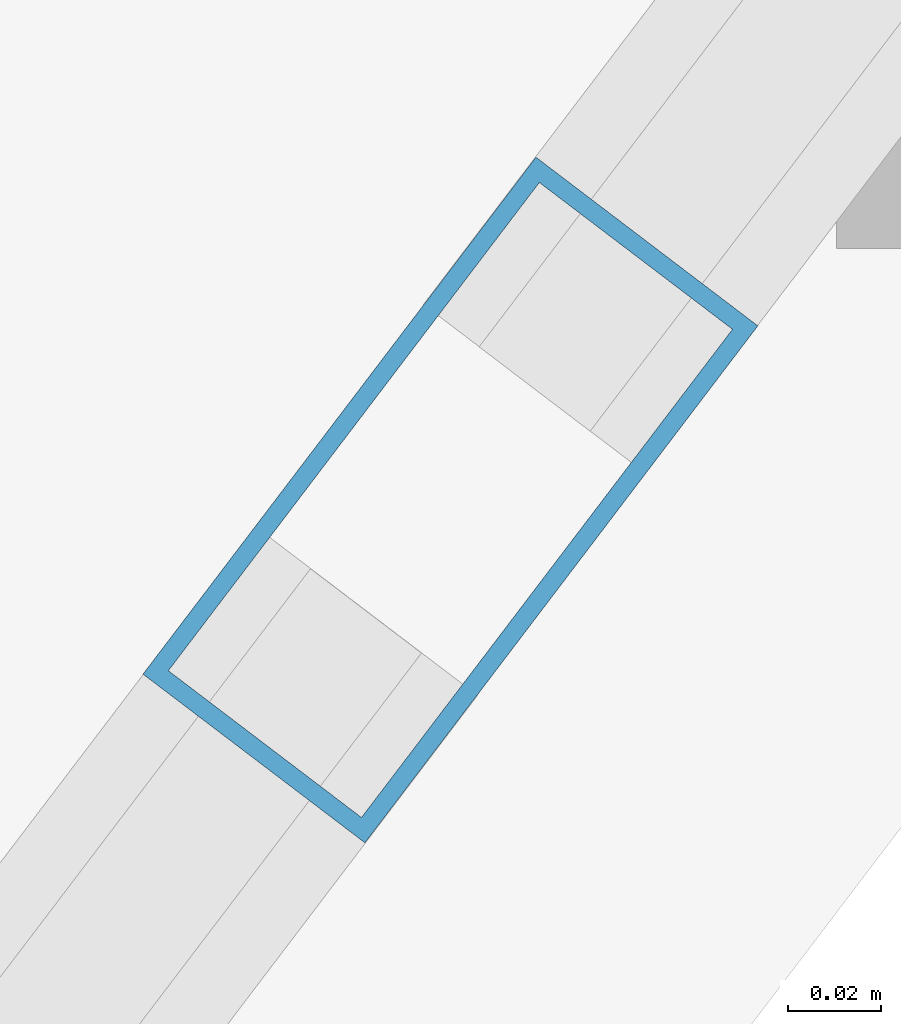
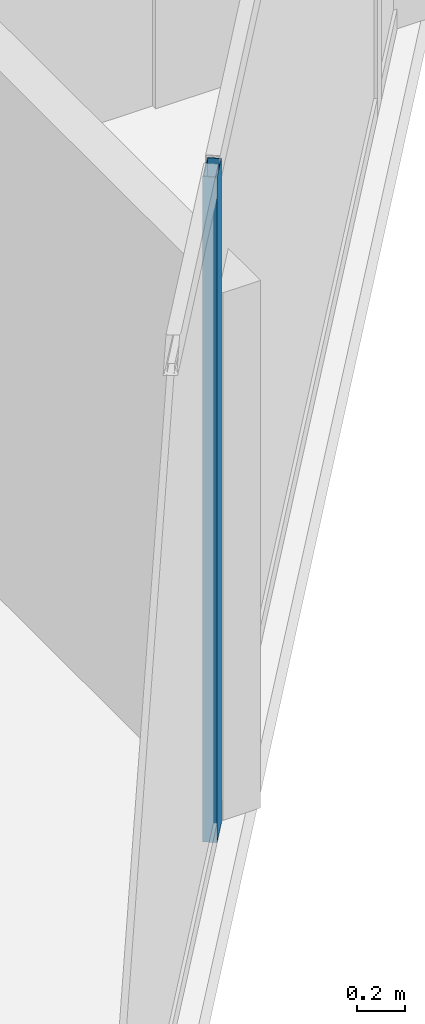
# One storey, part 4 of 17: 1 member, 1 element without a shape of its own.
"""IFC4 building model written with IfcOpenShell, lengths in metres."""

from ifc_helpers import new_model, si_unit, direction, frame, origin, origin_2d, place, context, subcontext, project, spatial, hollow_rectangle, extrude, material, layer, layer_set, material_profile, profile_set, type_object, element, aggregate, save


model = new_model("IFC4")

# Units and contexts
model_context = context("Model", 3, precision=1e-05, world=origin(), true_north=direction((0.0, 1.0)))
body_context = subcontext(model_context, "Body", "Model", "MODEL_VIEW")
ifc_project = project(units=[si_unit("LENGTHUNIT", "METRE"), si_unit("AREAUNIT", "SQUARE_METRE"), si_unit("VOLUMEUNIT", "CUBIC_METRE"), si_unit("PLANEANGLEUNIT", "RADIAN"), si_unit("MASSUNIT", "GRAM", prefix="KILO")], contexts=[model_context])

# Site, building, storey
site_placement = place(None, origin())
site = spatial("IfcSite", under=ifc_project, at=site_placement, CompositionType="ELEMENT")
building_placement = place(site_placement, origin())
building = spatial("IfcBuilding", under=site, at=building_placement, Name="Kravanh Interchange Tower", CompositionType="ELEMENT")
storey_placement = place(building_placement, frame((0.0, 0.0, 249.0)))
storey = spatial("IfcBuildingStorey", under=building, at=storey_placement, Name="L60", CompositionType="ELEMENT", Elevation=249.0)

# Curtain wall, member
ifc_material_1 = material(Name="Anodised Bronze Aluminium", Category="aluminium")
ifc_layer = layer(ifc_material_1, 0.179931640625)
ifc_layer_set = layer_set([ifc_layer], Name="Unitised Curtain Wall System CW-HTL Luxury Hotel")
curtain_wall_type = type_object("IfcCurtainWallType", Name="Unitised Curtain Wall System CW-HTL Luxury Hotel", PredefinedType="NOTDEFINED", material=ifc_layer_set)
curtain_wall_placement = place(storey_placement, origin())
curtain_wall = element("IfcCurtainWall", 1, at=curtain_wall_placement, inside=storey, type_object=curtain_wall_type, Name="L60 Unitised Curtain Wall CW-L60-04", PredefinedType="NOTDEFINED")
ifc_material_2 = material(Name="Anodised Bronze Aluminium", Category="aluminium")
ifc_material_profile = material_profile(ifc_material_2, hollow_rectangle(XDim=0.06005859375, YDim=0.139892578125, WallThickness=0.00390625, at=origin_2d()), Name="ALU60X140X4")
ifc_profile_set = profile_set([ifc_material_profile], Name="Anodised Bronze Aluminium")
member_type = type_object("IfcMemberType", Name="Curtain Wall Mullion ALU60X140X4 Bronze", PredefinedType="MULLION", material=ifc_profile_set)
member_placement = place(storey_placement, frame((38.427001953125, 22.11279296875, 0.0), z_axis=(0.0, 0.0, 1.0), x_axis=(0.79616243806, -0.605082946564, 0.0)))
member = element("IfcMember", 2, at=member_placement, type_object=member_type, Name="CW-HTL mullion 3", PredefinedType="MULLION", context=body_context, shape_type="SweptSolid", body=[
    extrude(hollow_rectangle(XDim=0.06005859375, YDim=0.139892578125, WallThickness=0.00390625, at=origin_2d()), origin(), (0.0, 0.0, 1.0), 3.360107421875),
])
aggregate(curtain_wall, [member])

save(model, "model.ifc")
